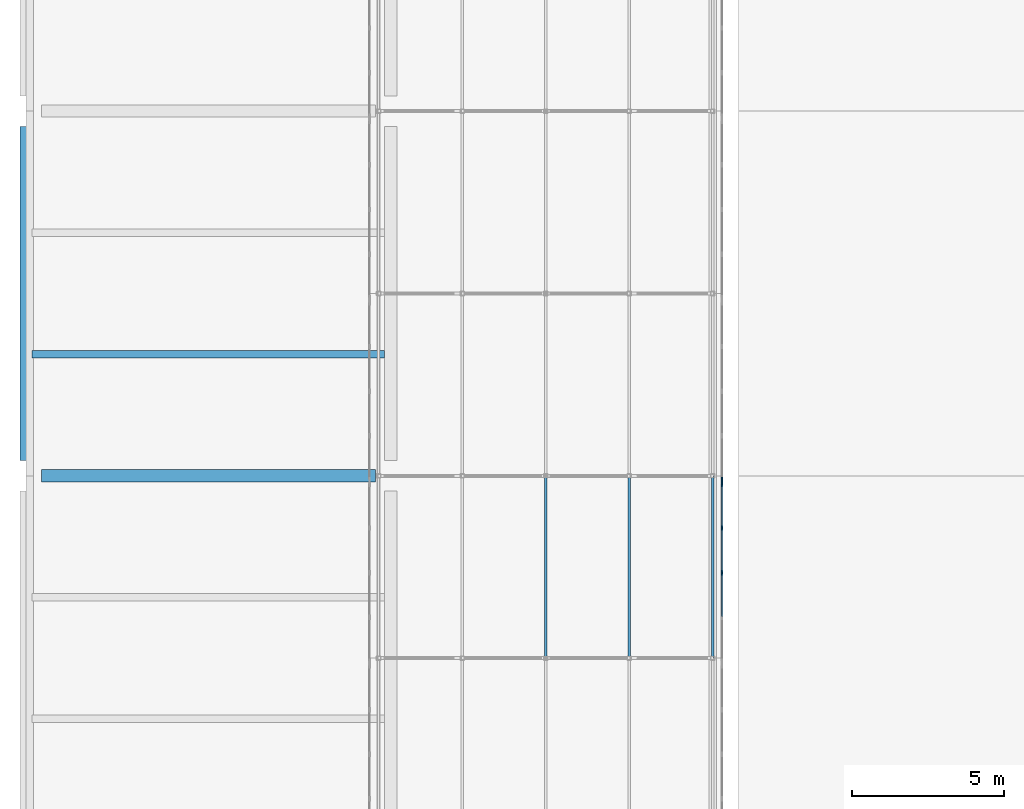
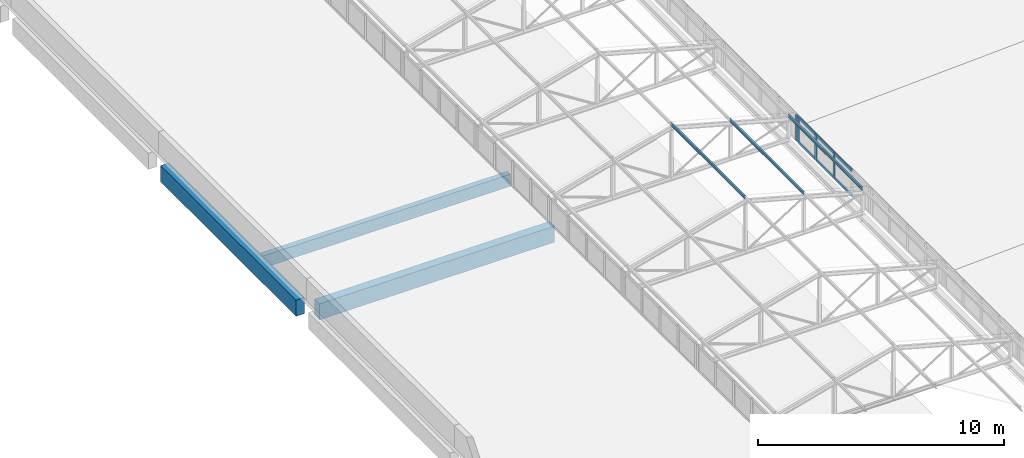
# One storey, part 45 of 94: 13 members, 3 beams, 2 elements without a shape of their own.
"""IFC4 building model written with IfcOpenShell, lengths in metres."""

import ifcopenshell
import ifcopenshell.guid

model = None  # the IFC model being written
_history = None  # IfcOwnerHistory: only IFC2X3 demands one
_inside = {}  # id of a spatial element -> (the spatial element, [elements in it])
_under = {}  # id of a project, library or spatial element -> (it, [spatial elements below it])
_declared = {}  # id of a project -> (the project, [libraries it declares])
_typed = {}  # id of a type object -> (the type object, [elements of that type])
_made_of = {}  # id of a material, layer set ... -> (it, [elements and type objects made of it])


def new_model(schema):
    """Start an empty IFC model of exactly this schema.

    Asked for "IFC4X3", IfcOpenShell would pick the latest addendum, in which some entities
    have other attributes; the version numbers below select the first issue.
    IFC2X3 requires an IfcOwnerHistory on every rooted entity: one is made here for all.
    """
    global model, _history
    if schema == "IFC4X3":
        model = ifcopenshell.file(schema_version=(4, 3, 0, 0))
    else:
        model = ifcopenshell.file(schema=schema)
    _inside.clear()
    _under.clear()
    _declared.clear()
    _typed.clear()
    _made_of.clear()
    _history = None
    if model.schema == "IFC2X3":
        org = make("IfcOrganization", Name="unknown")
        user = make(
            "IfcPersonAndOrganization",
            ThePerson=make("IfcPerson", FamilyName="unknown"),
            TheOrganization=org,
        )
        app = make(
            "IfcApplication",
            ApplicationDeveloper=org,
            Version="unknown",
            ApplicationFullName="unknown",
            ApplicationIdentifier="unknown",
        )
        _history = make(
            "IfcOwnerHistory",
            OwningUser=user,
            OwningApplication=app,
            ChangeAction="ADDED",
            CreationDate=0,
        )
    return model


def make(cls, **values):
    """One entity of the class cls with the attributes given. An attribute that is None is left unset."""
    return model.create_entity(
        cls, **{name: value for name, value in values.items() if value is not None}
    )


def rooted(cls, **values):
    """An entity with a GlobalId (a new one), such as an element, a storey or a relation."""
    return make(cls, GlobalId=ifcopenshell.guid.new(), OwnerHistory=_history, **values)


def si_unit(unit_type, name, prefix=None):
    """IfcSIUnit, for example si_unit("LENGTHUNIT", "METRE", prefix="MILLI")."""
    return make("IfcSIUnit", UnitType=unit_type, Prefix=prefix, Name=name)


def assignment(units):
    """IfcUnitAssignment: the units of a project."""
    return None if units is None else make("IfcUnitAssignment", Units=units)


def point(xyz):
    """IfcCartesianPoint."""
    return None if xyz is None else make("IfcCartesianPoint", Coordinates=xyz)


def direction(xyz):
    """IfcDirection."""
    return None if xyz is None else make("IfcDirection", DirectionRatios=xyz)


def frame(location, z_axis=None, x_axis=None):
    """IfcAxis2Placement3D, a coordinate frame: its origin and axes. An axis left out is left unset."""
    return make(
        "IfcAxis2Placement3D",
        Location=point(location),
        Axis=direction(z_axis),
        RefDirection=direction(x_axis),
    )


def frame_2d(location, x_axis=None):
    """IfcAxis2Placement2D, a coordinate frame in the plane: its origin and x axis."""
    return make(
        "IfcAxis2Placement2D", Location=point(location), RefDirection=direction(x_axis)
    )


def origin():
    """The frame at (0, 0, 0) with its axes left unset."""
    return frame((0.0, 0.0, 0.0))


def origin_2d():
    """The frame at (0, 0) in the plane with its x axis left unset."""
    return frame_2d((0.0, 0.0))


def place(relative_to, where):
    """IfcLocalPlacement: puts the frame where relative to a parent placement (None: the world)."""
    return make(
        "IfcLocalPlacement", PlacementRelTo=relative_to, RelativePlacement=where
    )


def context(
    kind, dimensions, precision=None, world=None, true_north=None, identifier=None
):
    """IfcGeometricRepresentationContext, for example the 3D "Model" context."""
    return make(
        "IfcGeometricRepresentationContext",
        ContextIdentifier=identifier,
        ContextType=kind,
        CoordinateSpaceDimension=dimensions,
        Precision=precision,
        WorldCoordinateSystem=world,
        TrueNorth=true_north,
    )


def subcontext(parent, identifier, kind, view, scale=None):
    """IfcGeometricRepresentationSubContext, for example "Body" below "Model"."""
    return make(
        "IfcGeometricRepresentationSubContext",
        ContextIdentifier=identifier,
        ContextType=kind,
        ParentContext=parent,
        TargetScale=scale,
        TargetView=view,
    )


def project(units=None, contexts=None):
    """IfcProject with its units and contexts."""
    return rooted(
        "IfcProject",
        Name="project",
        RepresentationContexts=contexts,
        UnitsInContext=assignment(units),
    )


def spatial(cls, under=None, at=None, **own):
    """A site, building, storey or space (cls), placed at a placement, below another one or the project."""
    s = rooted(cls, ObjectPlacement=at, **own)
    if under is not None:
        _under.setdefault(under.id(), (under, []))[1].append(s)
    return s


def profile(cls, at=None, kind="AREA", **sizes):
    """A parametric profile (cls). Its sizes go by their IFC names, for example OverallWidth=200.0."""
    return make(cls, ProfileType=kind, Position=at, **sizes)


def rectangle(**sizes):
    """IfcRectangleProfileDef."""
    return profile("IfcRectangleProfileDef", **sizes)


def i_section(**sizes):
    """IfcIShapeProfileDef."""
    return profile("IfcIShapeProfileDef", **sizes)


def extrude(swept, where, along, depth):
    """IfcExtrudedAreaSolid: the profile swept, set in the frame where, extruded along a direction by depth."""
    return make(
        "IfcExtrudedAreaSolid",
        SweptArea=swept,
        Position=where,
        ExtrudedDirection=direction(along),
        Depth=depth,
    )


def shape(context_of_items, identifier, shape_type, items):
    """IfcShapeRepresentation: the items that make up one representation, for example the "Body"."""
    return make(
        "IfcShapeRepresentation",
        ContextOfItems=context_of_items,
        RepresentationIdentifier=identifier,
        RepresentationType=shape_type,
        Items=items,
    )


def material(Name=None, Category=None):
    """IfcMaterial."""
    return make("IfcMaterial", Name=Name, Category=Category)


def layer(
    of_material, thickness, ventilated=None, Name=None, Category=None, Priority=None
):
    """IfcMaterialLayer: one layer of a wall or slab, of a material (None: an air gap)."""
    return make(
        "IfcMaterialLayer",
        Material=of_material,
        LayerThickness=thickness,
        IsVentilated=ventilated,
        Name=Name,
        Category=Category,
        Priority=Priority,
    )


def layer_set(layers, Name=None):
    """IfcMaterialLayerSet."""
    return make("IfcMaterialLayerSet", MaterialLayers=layers, LayerSetName=Name)


def material_profile(
    of_material, cross_section, Name=None, Category=None, Priority=None
):
    """IfcMaterialProfile: a cross section and its material."""
    return make(
        "IfcMaterialProfile",
        Name=Name,
        Material=of_material,
        Profile=cross_section,
        Priority=Priority,
        Category=Category,
    )


def profile_set(profiles, Name=None, composite=None):
    """IfcMaterialProfileSet."""
    return make(
        "IfcMaterialProfileSet",
        Name=Name,
        MaterialProfiles=profiles,
        CompositeProfile=composite,
    )


def made_of(thing, what):
    """Note that an element or type object is made of a material, layer set ...; save() writes the relation."""
    if what is not None:
        _made_of.setdefault(what.id(), (what, []))[1].append(thing)
    return thing


def type_object(cls, material=None, **own):
    """A type object (cls), such as IfcWallType, which elements share."""
    return made_of(rooted(cls, **own), material)


def element(
    cls,
    number,
    at=None,
    inside=None,
    cuts=None,
    type_object=None,
    material=None,
    context=None,
    identifier="Body",
    shape_type=None,
    held_by="IfcProductDefinitionShape",
    body=None,
    shapes=None,
    **own,
):
    """One element of the class cls, such as IfcWall. Its Tag is "e" and its number.

    at: its placement. inside: the storey or other place that contains it. cuts: it is an
    opening in that element (IfcRelVoidsElement). A single representation is given by context,
    identifier, shape_type and body (its items); several are given by shapes. held_by: the class
    of the entity that holds the representations. save() writes the other relations.
    """
    e = rooted(cls, Tag="e%d" % number, ObjectPlacement=at, **own)
    if body is not None:
        shapes = [shape(context, identifier, shape_type, body)]
    if shapes is not None:
        e.Representation = make(held_by, Representations=shapes)
    if inside is not None:
        _inside.setdefault(inside.id(), (inside, []))[1].append(e)
    if cuts is not None:
        rooted(
            "IfcRelVoidsElement", RelatingBuildingElement=cuts, RelatedOpeningElement=e
        )
    if type_object is not None:
        _typed.setdefault(type_object.id(), (type_object, []))[1].append(e)
    return made_of(e, material)


def aggregate(whole, parts):
    """IfcRelAggregates: a whole, such as a stair, and the parts it consists of."""
    return rooted("IfcRelAggregates", RelatingObject=whole, RelatedObjects=parts)


def save(model, path):
    """Write the relations noted so far, then the file.

    IfcRelAggregates (storeys below a building ...), IfcRelContainedInSpatialStructure (elements
    in a storey), IfcRelDefinesByType, IfcRelAssociatesMaterial and IfcRelDeclares: one each for
    every whole, place, type object, material and project.
    """
    for whole, parts in _under.values():
        aggregate(whole, parts)
    for where, things in _inside.values():
        rooted(
            "IfcRelContainedInSpatialStructure",
            RelatedElements=things,
            RelatingStructure=where,
        )
    for kind, things in _typed.values():
        rooted("IfcRelDefinesByType", RelatedObjects=things, RelatingType=kind)
    for what, things in _made_of.values():
        rooted("IfcRelAssociatesMaterial", RelatedObjects=things, RelatingMaterial=what)
    for by, libraries in _declared.values():
        rooted("IfcRelDeclares", RelatingContext=by, RelatedDefinitions=libraries)
    model.write(path)


model = new_model("IFC4")

# Units and contexts
model_context = context("Model", 3, precision=1e-05, world=origin(), true_north=direction((0.0, 1.0)))
body_context = subcontext(model_context, "Body", "Model", "MODEL_VIEW")
ifc_project = project(units=[si_unit("LENGTHUNIT", "METRE"), si_unit("AREAUNIT", "SQUARE_METRE"), si_unit("VOLUMEUNIT", "CUBIC_METRE"), si_unit("PLANEANGLEUNIT", "RADIAN"), si_unit("MASSUNIT", "GRAM", prefix="KILO")], contexts=[model_context])

# Site, building, storey
site_placement = place(None, origin())
site = spatial("IfcSite", under=ifc_project, at=site_placement, CompositionType="ELEMENT")
building_placement = place(site_placement, origin())
building = spatial("IfcBuilding", under=site, at=building_placement, Name="Lilac Gate Convention Centre", CompositionType="ELEMENT")
storey_placement = place(building_placement, frame((0.0, 0.0, 21.0)))
storey = spatial("IfcBuildingStorey", under=building, at=storey_placement, Name="L04", CompositionType="ELEMENT", Elevation=21.0)

# Curtain wall, members
ifc_material_1 = material(Name="Aluminium framed double glazing", Category="aluminium")
ifc_layer = layer(ifc_material_1, 0.199951171875)
ifc_layer_set = layer_set([ifc_layer], Name="Aluminium framed double glazing")
curtain_wall_type = type_object("IfcCurtainWallType", Name="Unitised curtain wall 1500", PredefinedType="NOTDEFINED", material=ifc_layer_set)
curtain_wall_1_placement = place(storey_placement, origin())
curtain_wall_1 = element("IfcCurtainWall", 1, at=curtain_wall_1_placement, inside=storey, type_object=curtain_wall_type, Name="Lantern clerestory E 24", PredefinedType="NOTDEFINED")
ifc_material_2 = material(Name="Aluminium alloy 6063", Category="aluminium")
ifc_material_profile_1 = material_profile(ifc_material_2, rectangle(XDim=0.06005859375, YDim=0.159912109375, at=origin_2d()), Name="Curtain wall mullion 60 x 160")
ifc_profile_set_1 = profile_set([ifc_material_profile_1], Name="Aluminium alloy 6063")
member_type_1 = type_object("IfcMemberType", Name="Curtain wall mullion 60 x 160", PredefinedType="MULLION", material=ifc_profile_set_1)
member_1_placement = place(storey_placement, frame((28.89990234375, 170.8125, 0.0), z_axis=(0.0, 0.0, 1.0), x_axis=(-1.0, 0.0, 0.0)))
member_1 = element("IfcMember", 2, at=member_1_placement, type_object=member_type_1, Name="CW mullion 3", PredefinedType="MULLION", context=body_context, shape_type="SweptSolid", body=[
    extrude(rectangle(XDim=0.06005859375, YDim=0.159912109375, at=origin_2d()), origin(), (0.0, 0.0, 1.0), 1.272216796875),
])
member_2_placement = place(storey_placement, frame((28.89990234375, 172.28125, 0.0), z_axis=(0.0, 0.0, 1.0), x_axis=(-1.0, 0.0, 0.0)))
member_2 = element("IfcMember", 3, at=member_2_placement, type_object=member_type_1, Name="CW mullion 4", PredefinedType="MULLION", context=body_context, shape_type="SweptSolid", body=[
    extrude(rectangle(XDim=0.06005859375, YDim=0.159912109375, at=origin_2d()), origin(), (0.0, 0.0, 1.0), 1.272216796875),
])
member_3_placement = place(storey_placement, frame((28.89990234375, 173.719970703125, 0.0), z_axis=(0.0, 0.0, 1.0), x_axis=(-1.0, 0.0, 0.0)))
member_3 = element("IfcMember", 4, at=member_3_placement, type_object=member_type_1, Name="CW mullion 5", PredefinedType="MULLION", context=body_context, shape_type="SweptSolid", body=[
    extrude(rectangle(XDim=0.06005859375, YDim=0.159912109375, at=origin_2d()), origin(), (0.0, 0.0, 1.0), 1.272216796875),
])

# Curtain wall, member
curtain_wall_2_placement = place(storey_placement, origin())
curtain_wall_2 = element("IfcCurtainWall", 5, at=curtain_wall_2_placement, inside=storey, type_object=curtain_wall_type, Name="Lantern clerestory E 25", PredefinedType="NOTDEFINED")
member_4_placement = place(storey_placement, frame((28.89990234375, 173.880126953125, 0.0), z_axis=(0.0, 0.0, 1.0), x_axis=(-1.0, 0.0, 0.0)))
member_4 = element("IfcMember", 6, at=member_4_placement, type_object=member_type_1, Name="CW mullion 1", PredefinedType="MULLION", context=body_context, shape_type="SweptSolid", body=[
    extrude(rectangle(XDim=0.06005859375, YDim=0.159912109375, at=origin_2d()), origin(), (0.0, 0.0, 1.0), 1.272216796875),
])
aggregate(curtain_wall_2, [member_4])

# Member
ifc_material_profile_2 = material_profile(ifc_material_2, rectangle(XDim=0.06005859375, YDim=0.1201171875, at=origin_2d()), Name="Curtain wall transom 60 x 120")
ifc_profile_set_2 = profile_set([ifc_material_profile_2], Name="Aluminium alloy 6063")
member_type_2 = type_object("IfcMemberType", Name="Curtain wall transom 60 x 120", PredefinedType="USERDEFINED", material=ifc_profile_set_2)
member_5_placement = place(storey_placement, frame((28.89990234375, 169.373779296875, 0.030029296875), z_axis=(0.0, 1.0, 0.0), x_axis=(-1.0, 0.0, 0.0)))
member_5 = element("IfcMember", 7, at=member_5_placement, type_object=member_type_2, Name="CW transom 2.1", ObjectType="TRANSOM", PredefinedType="USERDEFINED", context=body_context, shape_type="SweptSolid", body=[
    extrude(rectangle(XDim=0.06005859375, YDim=0.1201171875, at=origin_2d()), origin(), (0.0, 0.0, 1.0), 1.40869140625),
])

member_6_placement = place(storey_placement, frame((28.89990234375, 169.373779296875, 1.2421875), z_axis=(0.0, 1.0, 0.0), x_axis=(-1.0, 0.0, 0.0)))
member_6 = element("IfcMember", 8, at=member_6_placement, type_object=member_type_2, Name="CW transom 2.2", ObjectType="TRANSOM", PredefinedType="USERDEFINED", context=body_context, shape_type="SweptSolid", body=[
    extrude(rectangle(XDim=0.06005859375, YDim=0.1201171875, at=origin_2d()), origin(), (0.0, 0.0, 1.0), 1.40869140625),
])

member_7_placement = place(storey_placement, frame((28.89990234375, 170.842529296875, 0.030029296875), z_axis=(0.0, 1.0, 0.0), x_axis=(-1.0, 0.0, 0.0)))
member_7 = element("IfcMember", 9, at=member_7_placement, type_object=member_type_2, Name="CW transom 3.1", ObjectType="TRANSOM", PredefinedType="USERDEFINED", context=body_context, shape_type="SweptSolid", body=[
    extrude(rectangle(XDim=0.06005859375, YDim=0.1201171875, at=origin_2d()), origin(), (0.0, 0.0, 1.0), 1.40869140625),
])

member_8_placement = place(storey_placement, frame((28.89990234375, 170.842529296875, 1.2421875), z_axis=(0.0, 1.0, 0.0), x_axis=(-1.0, 0.0, 0.0)))
member_8 = element("IfcMember", 10, at=member_8_placement, type_object=member_type_2, Name="CW transom 3.2", ObjectType="TRANSOM", PredefinedType="USERDEFINED", context=body_context, shape_type="SweptSolid", body=[
    extrude(rectangle(XDim=0.06005859375, YDim=0.1201171875, at=origin_2d()), origin(), (0.0, 0.0, 1.0), 1.40869140625),
])

member_9_placement = place(storey_placement, frame((28.89990234375, 172.311279296875, 0.030029296875), z_axis=(0.0, 1.0, 0.0), x_axis=(-1.0, 0.0, 0.0)))
member_9 = element("IfcMember", 11, at=member_9_placement, type_object=member_type_2, Name="CW transom 4.1", ObjectType="TRANSOM", PredefinedType="USERDEFINED", context=body_context, shape_type="SweptSolid", body=[
    extrude(rectangle(XDim=0.06005859375, YDim=0.1201171875, at=origin_2d()), origin(), (0.0, 0.0, 1.0), 1.378662109375),
])

member_10_placement = place(storey_placement, frame((28.89990234375, 172.311279296875, 1.2421875), z_axis=(0.0, 1.0, 0.0), x_axis=(-1.0, 0.0, 0.0)))
member_10 = element("IfcMember", 12, at=member_10_placement, type_object=member_type_2, Name="CW transom 4.2", ObjectType="TRANSOM", PredefinedType="USERDEFINED", context=body_context, shape_type="SweptSolid", body=[
    extrude(rectangle(XDim=0.06005859375, YDim=0.1201171875, at=origin_2d()), origin(), (0.0, 0.0, 1.0), 1.378662109375),
])

aggregate(curtain_wall_1, [member_1, member_2, member_3, member_5, member_6, member_7, member_8, member_9, member_10])

# Members
ifc_material_3 = material(Name="Steel Q355B", Category="steel")
ifc_material_profile_3 = material_profile(ifc_material_3, i_section(OverallWidth=0.074951171875, OverallDepth=0.14990234375, WebThickness=0.0048828125, FlangeThickness=0.007080078125, FilletRadius=0.008056640625, at=origin_2d()), Name="HN150x75x5x7")
ifc_profile_set_3 = profile_set([ifc_material_profile_3], Name="Steel Q355B")
member_type_3 = type_object("IfcMemberType", Name="Lantern purlin HN150x75x5x7", PredefinedType="PURLIN", material=ifc_profile_set_3)
for number, where, z_axis, x_axis, name in (
    (13, (23.10009765625, 168.0, 2.779052734375), (0.0, 1.0, 0.0), (-1.0, 0.0, 0.0), "LP1 lantern purlin bay 24 line 3"),
    (14, (25.85009765625, 168.0, 2.029052734375), (0.0, 1.0, 0.0), (-1.0, 0.0, 0.0), "LP1 lantern purlin bay 24 line 4"),
    (15, (28.60009765625, 168.0, 1.279052734375), (0.0, 1.0, 0.0), (-1.0, 0.0, 0.0), "LP1 lantern purlin bay 24 line 5"),
):
    element("IfcMember", number, at=place(storey_placement, frame(where, z_axis=z_axis, x_axis=x_axis)), inside=storey, type_object=member_type_3, Name=name, PredefinedType="PURLIN", context=body_context, shape_type="SweptSolid", body=[
        extrude(i_section(OverallWidth=0.074951171875, OverallDepth=0.14990234375, WebThickness=0.0048828125, FlangeThickness=0.007080078125, FilletRadius=0.008056640625, at=origin_2d()), origin(), (0.0, 0.0, 1.0), 6.0),
    ])

# Beams
ifc_material_4 = material(Name="Concrete C40", Category="concrete")
ifc_material_profile_4 = material_profile(ifc_material_4, rectangle(XDim=0.39990234375, YDim=0.800048828125, at=origin_2d()), Name="RC 400x800")
ifc_profile_set_4 = profile_set([ifc_material_profile_4], Name="Concrete C40")
beam_type_1 = type_object("IfcBeamType", Name="Tower primary beam 400x800 C40", PredefinedType="BEAM", material=ifc_profile_set_4)
for number, where, z_axis, x_axis, name in (
    (16, (6.5, 174.0, -0.60009765625), (1.0, 0.0, 0.0), (0.0, 1.0, 0.0), "RB3 L04 1/N-2/N"),
    (17, (6.0, 174.5, -0.60009765625), (0.0, 1.0, 0.0), (-1.0, 0.0, 0.0), "RB3 L04 1/N-1/P"),
):
    element("IfcBeam", number, at=place(storey_placement, frame(where, z_axis=z_axis, x_axis=x_axis)), inside=storey, type_object=beam_type_1, Name=name, PredefinedType="BEAM", context=body_context, shape_type="SweptSolid", body=[
        extrude(rectangle(XDim=0.39990234375, YDim=0.800048828125, at=origin_2d()), origin(), (0.0, 0.0, 1.0), 11.0),
    ])
ifc_material_profile_5 = material_profile(ifc_material_4, rectangle(XDim=0.25, YDim=0.60009765625, at=origin_2d()), Name="RC 250x600")
ifc_profile_set_5 = profile_set([ifc_material_profile_5], Name="Concrete C40")
beam_type_2 = type_object("IfcBeamType", Name="Tower secondary beam 250x600 C40", PredefinedType="BEAM", material=ifc_profile_set_5)
beam_placement = place(storey_placement, frame((6.199951171875, 178.0, -0.5), z_axis=(1.0, 0.0, 0.0), x_axis=(0.0, 1.0, 0.0)))
element("IfcBeam", 18, at=beam_placement, inside=storey, type_object=beam_type_2, Name="RB4 L04 bay 1/N", PredefinedType="BEAM", context=body_context, shape_type="SweptSolid", body=[
    extrude(rectangle(XDim=0.25, YDim=0.60009765625, at=origin_2d()), origin(), (0.0, 0.0, 1.0), 11.60009765625),
])

save(model, "model.ifc")
